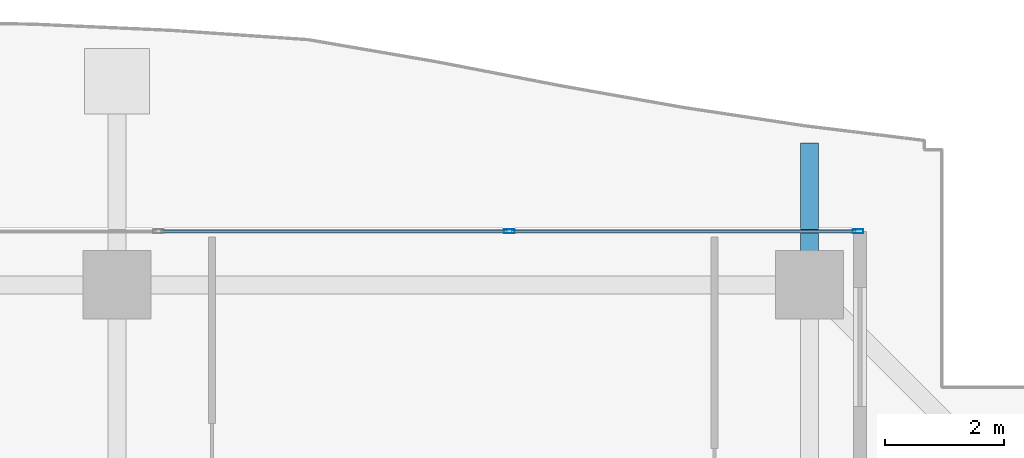
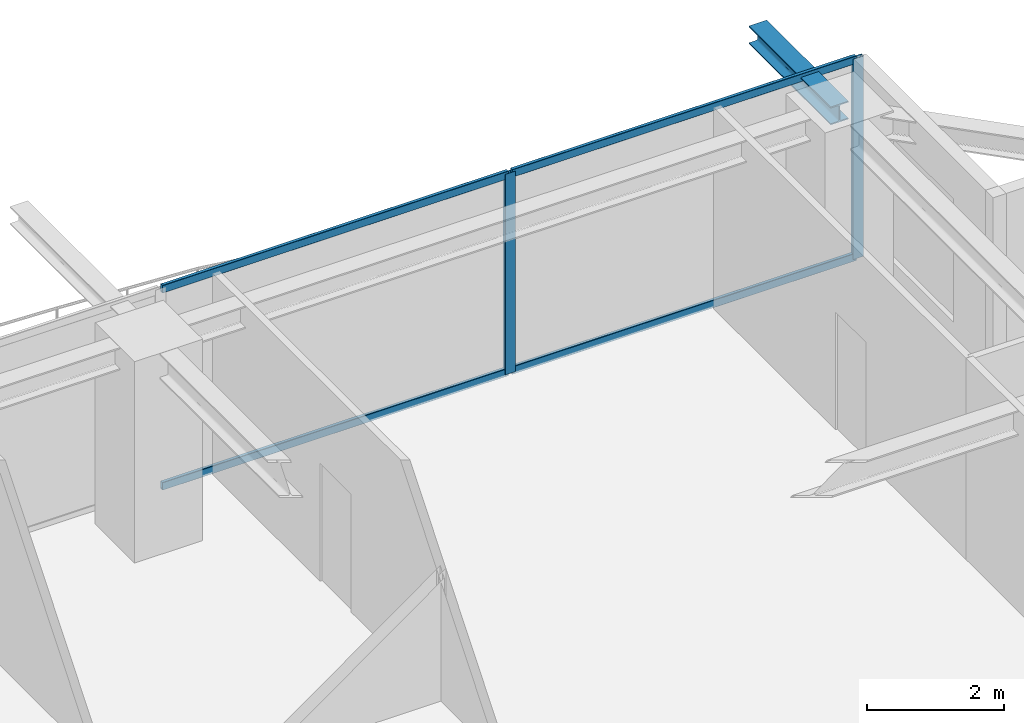
# One storey, part 24 of 37: 6 members, 1 beam, 1 element without a shape of its own.
"""IFC4 building model written with IfcOpenShell, lengths in metres."""

from ifc_helpers import new_model, si_unit, direction, frame, origin, origin_2d, place, context, subcontext, project, spatial, hollow_rectangle, i_section, extrude, source, transform, mapped, material, layer, layer_set, material_profile, profile_set, type_object, element, aggregate, save


model = new_model("IFC4")

# Units and contexts
model_context = context("Model", 3, precision=1e-05, world=origin(), true_north=direction((0.0, 1.0)))
body_context = subcontext(model_context, "Body", "Model", "MODEL_VIEW")
ifc_project = project(units=[si_unit("LENGTHUNIT", "METRE"), si_unit("AREAUNIT", "SQUARE_METRE"), si_unit("VOLUMEUNIT", "CUBIC_METRE"), si_unit("PLANEANGLEUNIT", "RADIAN"), si_unit("MASSUNIT", "GRAM", prefix="KILO")], contexts=[model_context])

# Site, building, storey
site_placement = place(None, origin())
site = spatial("IfcSite", under=ifc_project, at=site_placement, CompositionType="ELEMENT")
building_placement = place(site_placement, origin())
building = spatial("IfcBuilding", under=site, at=building_placement, Name="Serunith Strait Residences", CompositionType="ELEMENT")
storey_placement = place(building_placement, frame((0.0, 0.0, 279.75)))
storey = spatial("IfcBuildingStorey", under=building, at=storey_placement, Name="L70", CompositionType="ELEMENT", Elevation=279.75)

# Beam
ifc_material_1 = material(Name="Steel S355J2", Category="steel")
ifc_material_profile_1 = material_profile(ifc_material_1, i_section(OverallWidth=0.300048828125, OverallDepth=0.320068359375, WebThickness=0.011474609375, FlangeThickness=0.0205078125, FilletRadius=0.027099609375, at=origin_2d()), Name="HEB 320")
ifc_profile_set_1 = profile_set([ifc_material_profile_1], Name="Steel S355J2")
beam_type = type_object("IfcBeamType", Name="BM-HEB320", PredefinedType="BEAM", material=ifc_profile_set_1)
shared_shape_1 = source(origin(), body_context, "Body", "SweptSolid", [
    extrude(i_section(OverallWidth=0.300048828125, OverallDepth=0.320068359375, WebThickness=0.011474609375, FlangeThickness=0.0205078125, FilletRadius=0.027099609375, at=origin_2d()), origin(), (0.0, 0.0, 1.0), 2.386962890625),
])
beam_placement = place(storey_placement, frame((48.550048828125, 48.300048828125, 3.39697265625), z_axis=(0.0, 1.0, 0.0), x_axis=(-1.0, 0.0, 0.0)))
element("IfcBeam", 1, at=beam_placement, inside=storey, type_object=beam_type, Name="L71 Cantilevered Balcony Rib TC-N4", PredefinedType="BEAM", context=body_context, shape_type="MappedRepresentation", body=[
    mapped(shared_shape_1, transform((0.0, 0.0, 0.0), scale=1.0)),
])

# Curtain wall, members
ifc_material_2 = material(Name="Pale-Champagne Anodised Aluminium", Category="aluminium")
ifc_layer = layer(ifc_material_2, 0.199951171875, Name="Pale-Champagne Anodised Aluminium")
ifc_layer_set = layer_set([ifc_layer], Name="Pale-Champagne Anodised Aluminium")
curtain_wall_type = type_object("IfcCurtainWallType", Name="CW-SYS4", PredefinedType="NOTDEFINED", material=ifc_layer_set)
curtain_wall_placement = place(storey_placement, origin())
curtain_wall = element("IfcCurtainWall", 2, at=curtain_wall_placement, inside=storey, type_object=curtain_wall_type, Name="L70 N Unitised Fritted Curtain Wall", PredefinedType="NOTDEFINED")
ifc_material_profile_2 = material_profile(ifc_material_2, hollow_rectangle(XDim=0.06494140625, YDim=0.179931640625, WallThickness=0.00341796875, InnerFilletRadius=0.00537109375, OuterFilletRadius=0.0087890625, at=origin_2d()), Name="ALU 180x65x3.5")
ifc_profile_set_2 = profile_set([ifc_material_profile_2], Name="Pale-Champagne Anodised Aluminium")
member_type_1 = type_object("IfcMemberType", Name="CW-SYS4-MULL", PredefinedType="MULLION", material=ifc_profile_set_2)
shared_shape_2 = source(origin(), body_context, "Body", "SweptSolid", [
    extrude(hollow_rectangle(XDim=0.06494140625, YDim=0.179931640625, WallThickness=0.00341796875, InnerFilletRadius=0.00537109375, OuterFilletRadius=0.0087890625, at=origin_2d()), origin(), (0.0, 0.0, 1.0), 3.574951171875),
])
member_1_placement = place(storey_placement, frame((49.367431640625, 49.199951171875, 0.0), z_axis=(0.0, 0.0, 1.0), x_axis=(0.0, -1.0, 0.0)))
member_1 = element("IfcMember", 3, at=member_1_placement, type_object=member_type_1, Name="CW-4 mullion 1", PredefinedType="MULLION", context=body_context, shape_type="MappedRepresentation", body=[
    mapped(shared_shape_2, transform((0.0, 0.0, 0.0), scale=1.0)),
])
member_2_placement = place(storey_placement, frame((43.5, 49.199951171875, 0.0), z_axis=(0.0, 0.0, 1.0), x_axis=(0.0, -1.0, 0.0)))
member_2 = element("IfcMember", 4, at=member_2_placement, type_object=member_type_1, Name="CW-4 mullion 2", PredefinedType="MULLION", context=body_context, shape_type="MappedRepresentation", body=[
    mapped(shared_shape_2, transform((0.0, 0.0, 0.0), scale=1.0)),
])
ifc_material_profile_3 = material_profile(ifc_material_2, hollow_rectangle(XDim=0.06005859375, YDim=0.139892578125, WallThickness=0.00341796875, InnerFilletRadius=0.00537109375, OuterFilletRadius=0.0087890625, at=origin_2d()), Name="ALU 140x60x3.5")
ifc_profile_set_3 = profile_set([ifc_material_profile_3], Name="Pale-Champagne Anodised Aluminium")
member_type_2 = type_object("IfcMemberType", Name="CW-SYS4-TRAN", PredefinedType="USERDEFINED", material=ifc_profile_set_3)
shared_shape_3 = source(origin(), body_context, "Body", "SweptSolid", [
    extrude(hollow_rectangle(XDim=0.06005859375, YDim=0.139892578125, WallThickness=0.00341796875, InnerFilletRadius=0.00537109375, OuterFilletRadius=0.0087890625, at=origin_2d()), origin(), (0.0, 0.0, 1.0), 5.802490234375),
])
member_3_placement = place(storey_placement, frame((49.3349609375, 49.199951171875, 0.030029296875), z_axis=(-1.0, 0.0, 0.0), x_axis=(0.0, -1.0, 0.0)))
member_3 = element("IfcMember", 5, at=member_3_placement, type_object=member_type_2, Name="CW-4 transom 1.1", ObjectType="TRANSOM", PredefinedType="USERDEFINED", context=body_context, shape_type="MappedRepresentation", body=[
    mapped(shared_shape_3, transform((0.0, 0.0, 0.0), scale=1.0)),
])
member_4_placement = place(storey_placement, frame((49.3349609375, 49.199951171875, 3.544921875), z_axis=(-1.0, 0.0, 0.0), x_axis=(0.0, -1.0, 0.0)))
member_4 = element("IfcMember", 6, at=member_4_placement, type_object=member_type_2, Name="CW-4 transom 1.2", ObjectType="TRANSOM", PredefinedType="USERDEFINED", context=body_context, shape_type="MappedRepresentation", body=[
    mapped(shared_shape_3, transform((0.0, 0.0, 0.0), scale=1.0)),
])
shared_shape_4 = source(origin(), body_context, "Body", "SweptSolid", [
    extrude(hollow_rectangle(XDim=0.06005859375, YDim=0.139892578125, WallThickness=0.00341796875, InnerFilletRadius=0.00537109375, OuterFilletRadius=0.0087890625, at=origin_2d()), origin(), (0.0, 0.0, 1.0), 5.8349609375),
])
member_5_placement = place(storey_placement, frame((43.467529296875, 49.199951171875, 0.030029296875), z_axis=(-1.0, 0.0, 0.0), x_axis=(0.0, -1.0, 0.0)))
member_5 = element("IfcMember", 7, at=member_5_placement, type_object=member_type_2, Name="CW-4 transom 2.1", ObjectType="TRANSOM", PredefinedType="USERDEFINED", context=body_context, shape_type="MappedRepresentation", body=[
    mapped(shared_shape_4, transform((0.0, 0.0, 0.0), scale=1.0)),
])
member_6_placement = place(storey_placement, frame((43.467529296875, 49.199951171875, 3.544921875), z_axis=(-1.0, 0.0, 0.0), x_axis=(0.0, -1.0, 0.0)))
member_6 = element("IfcMember", 8, at=member_6_placement, type_object=member_type_2, Name="CW-4 transom 2.2", ObjectType="TRANSOM", PredefinedType="USERDEFINED", context=body_context, shape_type="MappedRepresentation", body=[
    mapped(shared_shape_4, transform((0.0, 0.0, 0.0), scale=1.0)),
])
aggregate(curtain_wall, [member_1, member_2, member_3, member_4, member_5, member_6])

save(model, "model.ifc")
